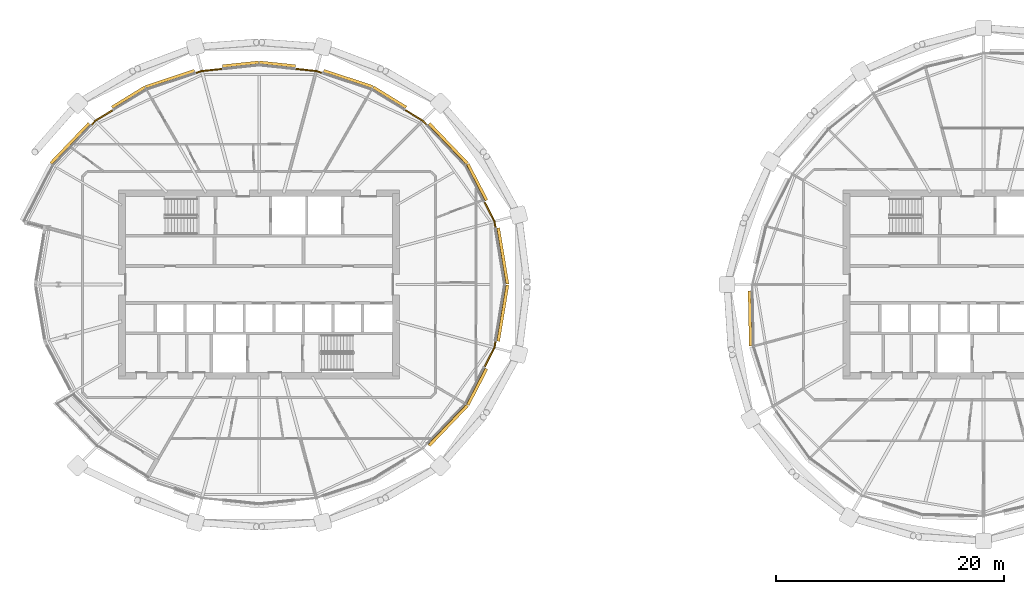
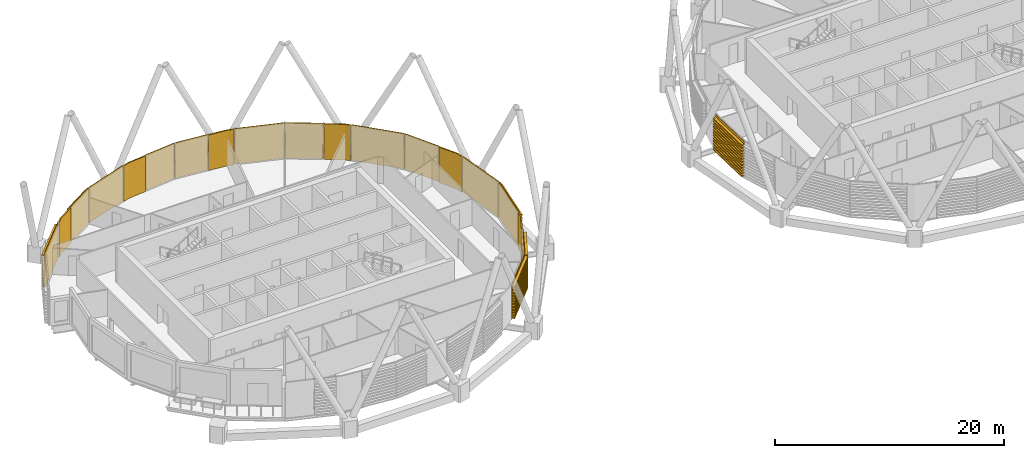
# One storey, part 32 of 36: 20 coverings.
"""IFC4 building model written with IfcOpenShell, lengths in metres."""

from ifc_helpers import new_model, si_unit, direction, frame, origin, place, context, subcontext, project, spatial, polyline, outline, extrude, material, layer, layer_set, material_profile, profile_set, type_object, element, save


model = new_model("IFC4")

# Units and contexts
model_context = context("Model", 3, precision=1e-05, world=origin(), true_north=direction((0.0, 1.0)))
body_context = subcontext(model_context, "Body", "Model", "MODEL_VIEW")
ifc_project = project(units=[si_unit("LENGTHUNIT", "METRE"), si_unit("AREAUNIT", "SQUARE_METRE"), si_unit("VOLUMEUNIT", "CUBIC_METRE"), si_unit("PLANEANGLEUNIT", "RADIAN"), si_unit("MASSUNIT", "GRAM", prefix="KILO")], contexts=[model_context])

# Site, building, storey
site_placement = place(None, origin())
site = spatial("IfcSite", under=ifc_project, at=site_placement, CompositionType="ELEMENT")
building_placement = place(site_placement, origin())
building = spatial("IfcBuilding", under=site, at=building_placement, Name="Rimbun Link Towers", CompositionType="ELEMENT")
storey_placement = place(building_placement, frame((0.0, 0.0, 193.10009765625)))
storey = spatial("IfcBuildingStorey", under=building, at=storey_placement, Name="L47", CompositionType="ELEMENT", Elevation=193.10009765625)

# Coverings
ifc_material_1 = material(Name="Terracotta", Category="masonry")
ifc_layer = layer(ifc_material_1, 0.1201171875)
ifc_layer_set = layer_set([ifc_layer], Name="LINK PIER terracotta cladding 120")
covering_type_1 = type_object("IfcCoveringType", Name="LINK PIER terracotta cladding 120", PredefinedType="CLADDING", material=ifc_layer_set)
covering_1_placement = place(storey_placement, origin())
element("IfcCovering", 1, at=covering_1_placement, inside=storey, type_object=covering_type_1, Name="LINK PIER cladding", PredefinedType="CLADDING", context=body_context, shape_type="SweptSolid", body=[
    extrude(outline(polyline([(-12.055419921875, 7.21875), (-11.173095703125, 5.513671875), (-11.08056640625, 4.951171875), (-10.962158203125, 4.970703125), (-11.057861328125, 5.5517578125), (-11.948974609375, 7.27392578125), (-12.055419921875, 7.21875)])), origin(), (0.0, 0.0, 1.0), 3.7998046875),
])
covering_2_placement = place(storey_placement, origin())
element("IfcCovering", 2, at=covering_2_placement, inside=storey, type_object=covering_type_1, Name="LINK PIER cladding", PredefinedType="CLADDING", context=body_context, shape_type="SweptSolid", body=[
    extrude(outline(polyline([(-18.99267578125, 15.2607421875), (-17.441650390625, 14.308349609375), (-17.081787109375, 13.93310546875), (-16.9951171875, 14.01611328125), (-17.36572265625, 14.402587890625), (-18.9296875, 15.363037109375), (-18.99267578125, 15.2607421875)])), origin(), (0.0, 0.0, 1.0), 3.7998046875),
])
covering_3_placement = place(storey_placement, origin())
element("IfcCovering", 3, at=covering_3_placement, inside=storey, type_object=covering_type_1, Name="LINK PIER cladding", PredefinedType="CLADDING", context=body_context, shape_type="SweptSolid", body=[
    extrude(outline(polyline([(-28.561279296875, 18.845947265625), (-26.751220703125, 18.6552734375), (-26.210205078125, 18.475830078125), (-26.172607421875, 18.58984375), (-26.725830078125, 18.773193359375), (-28.548828125, 18.965087890625), (-28.561279296875, 18.845947265625)])), origin(), (0.0, 0.0, 1.0), 3.7998046875),
])
covering_4_placement = place(storey_placement, origin())
element("IfcCovering", 4, at=covering_4_placement, inside=storey, type_object=covering_type_1, Name="LINK PIER cladding", PredefinedType="CLADDING", context=body_context, shape_type="SweptSolid", body=[
    extrude(outline(polyline([(-37.289794921875, 18.475830078125), (-36.748779296875, 18.6552734375), (-34.938720703125, 18.845947265625), (-34.951171875, 18.965087890625), (-36.774169921875, 18.773193359375), (-37.327392578125, 18.58984375), (-37.289794921875, 18.475830078125)])), origin(), (0.0, 0.0, 1.0), 3.7998046875),
])
covering_5_placement = place(storey_placement, origin())
element("IfcCovering", 5, at=covering_5_placement, inside=storey, type_object=covering_type_1, Name="LINK PIER cladding", PredefinedType="CLADDING", context=body_context, shape_type="SweptSolid", body=[
    extrude(outline(polyline([(-46.418212890625, 13.93310546875), (-46.058349609375, 14.308349609375), (-44.50732421875, 15.2607421875), (-44.5703125, 15.363037109375), (-46.13427734375, 14.402587890625), (-46.5048828125, 14.01611328125), (-46.418212890625, 13.93310546875)])), origin(), (0.0, 0.0, 1.0), 3.7998046875),
])
covering_6_placement = place(storey_placement, origin())
element("IfcCovering", 6, at=covering_6_placement, inside=storey, type_object=covering_type_1, Name="LINK PIER cladding", PredefinedType="CLADDING", context=body_context, shape_type="SweptSolid", body=[
    extrude(outline(polyline([(-11.08056640625, -4.951171875), (-11.173095703125, -5.513671875), (-12.055419921875, -7.21875), (-11.948974609375, -7.27392578125), (-11.057861328125, -5.5517578125), (-10.962158203125, -4.970703125), (-11.08056640625, -4.951171875)])), origin(), (0.0, 0.0, 1.0), 3.7998046875),
])
ifc_material_2 = material(Name="Terracotta", Category="masonry")
ifc_material_profile = material_profile(ifc_material_2, outline(polyline([(0.123046875, 0.0), (0.1630859375, 0.0), (0.1630859375, 0.10009765625), (0.423095703125, 0.10009765625), (0.423095703125, 0.219970703125), (0.1630859375, 0.219970703125), (0.1630859375, 0.39990234375), (0.423095703125, 0.39990234375), (0.423095703125, 0.52001953125), (0.1630859375, 0.52001953125), (0.1630859375, 0.699951171875), (0.423095703125, 0.699951171875), (0.423095703125, 0.820068359375), (0.1630859375, 0.820068359375), (0.1630859375, 1.0), (0.423095703125, 1.0), (0.423095703125, 1.1201171875), (0.1630859375, 1.1201171875), (0.1630859375, 1.300048828125), (0.423095703125, 1.300048828125), (0.423095703125, 1.419921875), (0.1630859375, 1.419921875), (0.1630859375, 1.60009765625), (0.423095703125, 1.60009765625), (0.423095703125, 1.719970703125), (0.1630859375, 1.719970703125), (0.1630859375, 1.89990234375), (0.423095703125, 1.89990234375), (0.423095703125, 2.02001953125), (0.1630859375, 2.02001953125), (0.1630859375, 2.199951171875), (0.423095703125, 2.199951171875), (0.423095703125, 2.320068359375), (0.1630859375, 2.320068359375), (0.1630859375, 2.5), (0.423095703125, 2.5), (0.423095703125, 2.6201171875), (0.1630859375, 2.6201171875), (0.1630859375, 2.800048828125), (0.423095703125, 2.800048828125), (0.423095703125, 2.919921875), (0.1630859375, 2.919921875), (0.1630859375, 3.10009765625), (0.423095703125, 3.10009765625), (0.423095703125, 3.219970703125), (0.1630859375, 3.219970703125), (0.1630859375, 3.39990234375), (0.423095703125, 3.39990234375), (0.423095703125, 3.52001953125), (0.1630859375, 3.52001953125), (0.1630859375, 3.800048828125), (0.123046875, 3.800048828125), (0.123046875, 0.0)])), Name="BAGUETTE 120X300")
ifc_profile_set = profile_set([ifc_material_profile], Name="Terracotta")
covering_type_2 = type_object("IfcCoveringType", Name="TERRACOTTA BAGUETTE 120X300 H3800", PredefinedType="CLADDING", material=ifc_profile_set)
covering_7_placement = place(storey_placement, frame((-11.07568359375, 4.921630859375, 0.0), z_axis=(0.162215740707, -0.986755315905, 0.0), x_axis=(0.986755315905, 0.162215740707, 0.0)))
element("IfcCovering", 7, at=covering_7_placement, inside=storey, type_object=covering_type_2, Name="TERRACOTTA BAGUETTE", PredefinedType="CLADDING", context=body_context, shape_type="SweptSolid", body=[
    extrude(outline(polyline([(0.123046875, 0.0), (0.1630859375, 0.0), (0.1630859375, 0.10009765625), (0.423095703125, 0.10009765625), (0.423095703125, 0.219970703125), (0.1630859375, 0.219970703125), (0.1630859375, 0.39990234375), (0.423095703125, 0.39990234375), (0.423095703125, 0.52001953125), (0.1630859375, 0.52001953125), (0.1630859375, 0.699951171875), (0.423095703125, 0.699951171875), (0.423095703125, 0.820068359375), (0.1630859375, 0.820068359375), (0.1630859375, 1.0), (0.423095703125, 1.0), (0.423095703125, 1.1201171875), (0.1630859375, 1.1201171875), (0.1630859375, 1.300048828125), (0.423095703125, 1.300048828125), (0.423095703125, 1.419921875), (0.1630859375, 1.419921875), (0.1630859375, 1.60009765625), (0.423095703125, 1.60009765625), (0.423095703125, 1.719970703125), (0.1630859375, 1.719970703125), (0.1630859375, 1.89990234375), (0.423095703125, 1.89990234375), (0.423095703125, 2.02001953125), (0.1630859375, 2.02001953125), (0.1630859375, 2.199951171875), (0.423095703125, 2.199951171875), (0.423095703125, 2.320068359375), (0.1630859375, 2.320068359375), (0.1630859375, 2.5), (0.423095703125, 2.5), (0.423095703125, 2.6201171875), (0.1630859375, 2.6201171875), (0.1630859375, 2.800048828125), (0.423095703125, 2.800048828125), (0.423095703125, 2.919921875), (0.1630859375, 2.919921875), (0.1630859375, 3.10009765625), (0.423095703125, 3.10009765625), (0.423095703125, 3.219970703125), (0.1630859375, 3.219970703125), (0.1630859375, 3.39990234375), (0.423095703125, 3.39990234375), (0.423095703125, 3.52001953125), (0.1630859375, 3.52001953125), (0.1630859375, 3.800048828125), (0.123046875, 3.800048828125), (0.123046875, 0.0)])), origin(), (0.0, 0.0, 1.0), 4.98779296875),
])
covering_8_placement = place(storey_placement, frame((-13.709716796875, 10.41552734375, 0.0), z_axis=(0.459564328239, -0.888144486111, 0.0), x_axis=(0.888144486111, 0.459564328239, 0.0)))
element("IfcCovering", 8, at=covering_8_placement, inside=storey, type_object=covering_type_2, Name="TERRACOTTA BAGUETTE", PredefinedType="CLADDING", context=body_context, shape_type="SweptSolid", body=[
    extrude(outline(polyline([(0.123046875, 0.0), (0.1630859375, 0.0), (0.1630859375, 0.10009765625), (0.423095703125, 0.10009765625), (0.423095703125, 0.219970703125), (0.1630859375, 0.219970703125), (0.1630859375, 0.39990234375), (0.423095703125, 0.39990234375), (0.423095703125, 0.52001953125), (0.1630859375, 0.52001953125), (0.1630859375, 0.699951171875), (0.423095703125, 0.699951171875), (0.423095703125, 0.820068359375), (0.1630859375, 0.820068359375), (0.1630859375, 1.0), (0.423095703125, 1.0), (0.423095703125, 1.1201171875), (0.1630859375, 1.1201171875), (0.1630859375, 1.300048828125), (0.423095703125, 1.300048828125), (0.423095703125, 1.419921875), (0.1630859375, 1.419921875), (0.1630859375, 1.60009765625), (0.423095703125, 1.60009765625), (0.423095703125, 1.719970703125), (0.1630859375, 1.719970703125), (0.1630859375, 1.89990234375), (0.423095703125, 1.89990234375), (0.423095703125, 2.02001953125), (0.1630859375, 2.02001953125), (0.1630859375, 2.199951171875), (0.423095703125, 2.199951171875), (0.423095703125, 2.320068359375), (0.1630859375, 2.320068359375), (0.1630859375, 2.5), (0.423095703125, 2.5), (0.423095703125, 2.6201171875), (0.1630859375, 2.6201171875), (0.1630859375, 2.800048828125), (0.423095703125, 2.800048828125), (0.423095703125, 2.919921875), (0.1630859375, 2.919921875), (0.1630859375, 3.10009765625), (0.423095703125, 3.10009765625), (0.423095703125, 3.219970703125), (0.1630859375, 3.219970703125), (0.1630859375, 3.39990234375), (0.423095703125, 3.39990234375), (0.423095703125, 3.52001953125), (0.1630859375, 3.52001953125), (0.1630859375, 3.800048828125), (0.123046875, 3.800048828125), (0.123046875, 0.0)])), origin(), (0.0, 0.0, 1.0), 3.5693359375),
])
covering_9_placement = place(storey_placement, frame((-17.06103515625, 13.911376953125, 0.0), z_axis=(0.692026893446, -0.721871719039, 0.0), x_axis=(0.721871719039, 0.692026893446, 0.0)))
element("IfcCovering", 9, at=covering_9_placement, inside=storey, type_object=covering_type_2, Name="TERRACOTTA BAGUETTE", PredefinedType="CLADDING", context=body_context, shape_type="SweptSolid", body=[
    extrude(outline(polyline([(0.123046875, 0.0), (0.1630859375, 0.0), (0.1630859375, 0.10009765625), (0.423095703125, 0.10009765625), (0.423095703125, 0.219970703125), (0.1630859375, 0.219970703125), (0.1630859375, 0.39990234375), (0.423095703125, 0.39990234375), (0.423095703125, 0.52001953125), (0.1630859375, 0.52001953125), (0.1630859375, 0.699951171875), (0.423095703125, 0.699951171875), (0.423095703125, 0.820068359375), (0.1630859375, 0.820068359375), (0.1630859375, 1.0), (0.423095703125, 1.0), (0.423095703125, 1.1201171875), (0.1630859375, 1.1201171875), (0.1630859375, 1.300048828125), (0.423095703125, 1.300048828125), (0.423095703125, 1.419921875), (0.1630859375, 1.419921875), (0.1630859375, 1.60009765625), (0.423095703125, 1.60009765625), (0.423095703125, 1.719970703125), (0.1630859375, 1.719970703125), (0.1630859375, 1.89990234375), (0.423095703125, 1.89990234375), (0.423095703125, 2.02001953125), (0.1630859375, 2.02001953125), (0.1630859375, 2.199951171875), (0.423095703125, 2.199951171875), (0.423095703125, 2.320068359375), (0.1630859375, 2.320068359375), (0.1630859375, 2.5), (0.423095703125, 2.5), (0.423095703125, 2.6201171875), (0.1630859375, 2.6201171875), (0.1630859375, 2.800048828125), (0.423095703125, 2.800048828125), (0.423095703125, 2.919921875), (0.1630859375, 2.919921875), (0.1630859375, 3.10009765625), (0.423095703125, 3.10009765625), (0.423095703125, 3.219970703125), (0.1630859375, 3.219970703125), (0.1630859375, 3.39990234375), (0.423095703125, 3.39990234375), (0.423095703125, 3.52001953125), (0.1630859375, 3.52001953125), (0.1630859375, 3.800048828125), (0.123046875, 3.800048828125), (0.123046875, 0.0)])), origin(), (0.0, 0.0, 1.0), 4.8427734375),
])
covering_10_placement = place(storey_placement, frame((-21.906494140625, 17.0498046875, 0.0), z_axis=(0.852192074263, -0.523229078476, 0.0), x_axis=(0.523229078476, 0.852192074263, 0.0)))
element("IfcCovering", 10, at=covering_10_placement, inside=storey, type_object=covering_type_2, Name="TERRACOTTA BAGUETTE", PredefinedType="CLADDING", context=body_context, shape_type="SweptSolid", body=[
    extrude(outline(polyline([(0.123046875, 0.0), (0.1630859375, 0.0), (0.1630859375, 0.10009765625), (0.423095703125, 0.10009765625), (0.423095703125, 0.219970703125), (0.1630859375, 0.219970703125), (0.1630859375, 0.39990234375), (0.423095703125, 0.39990234375), (0.423095703125, 0.52001953125), (0.1630859375, 0.52001953125), (0.1630859375, 0.699951171875), (0.423095703125, 0.699951171875), (0.423095703125, 0.820068359375), (0.1630859375, 0.820068359375), (0.1630859375, 1.0), (0.423095703125, 1.0), (0.423095703125, 1.1201171875), (0.1630859375, 1.1201171875), (0.1630859375, 1.300048828125), (0.423095703125, 1.300048828125), (0.423095703125, 1.419921875), (0.1630859375, 1.419921875), (0.1630859375, 1.60009765625), (0.423095703125, 1.60009765625), (0.423095703125, 1.719970703125), (0.1630859375, 1.719970703125), (0.1630859375, 1.89990234375), (0.423095703125, 1.89990234375), (0.423095703125, 2.02001953125), (0.1630859375, 2.02001953125), (0.1630859375, 2.199951171875), (0.423095703125, 2.199951171875), (0.423095703125, 2.320068359375), (0.1630859375, 2.320068359375), (0.1630859375, 2.5), (0.423095703125, 2.5), (0.423095703125, 2.6201171875), (0.1630859375, 2.6201171875), (0.1630859375, 2.800048828125), (0.423095703125, 2.800048828125), (0.423095703125, 2.919921875), (0.1630859375, 2.919921875), (0.1630859375, 3.10009765625), (0.423095703125, 3.10009765625), (0.423095703125, 3.219970703125), (0.1630859375, 3.219970703125), (0.1630859375, 3.39990234375), (0.423095703125, 3.39990234375), (0.423095703125, 3.52001953125), (0.1630859375, 3.52001953125), (0.1630859375, 3.800048828125), (0.123046875, 3.800048828125), (0.123046875, 0.0)])), origin(), (0.0, 0.0, 1.0), 3.389404296875),
])
covering_11_placement = place(storey_placement, frame((-26.181640625, 18.466552734375, 0.0), z_axis=(0.949234768601, -0.314568520484, 0.0), x_axis=(0.314568520484, 0.949234768601, 0.0)))
element("IfcCovering", 11, at=covering_11_placement, inside=storey, type_object=covering_type_2, Name="TERRACOTTA BAGUETTE", PredefinedType="CLADDING", context=body_context, shape_type="SweptSolid", body=[
    extrude(outline(polyline([(0.123046875, 0.0), (0.1630859375, 0.0), (0.1630859375, 0.10009765625), (0.423095703125, 0.10009765625), (0.423095703125, 0.219970703125), (0.1630859375, 0.219970703125), (0.1630859375, 0.39990234375), (0.423095703125, 0.39990234375), (0.423095703125, 0.52001953125), (0.1630859375, 0.52001953125), (0.1630859375, 0.699951171875), (0.423095703125, 0.699951171875), (0.423095703125, 0.820068359375), (0.1630859375, 0.820068359375), (0.1630859375, 1.0), (0.423095703125, 1.0), (0.423095703125, 1.1201171875), (0.1630859375, 1.1201171875), (0.1630859375, 1.300048828125), (0.423095703125, 1.300048828125), (0.423095703125, 1.419921875), (0.1630859375, 1.419921875), (0.1630859375, 1.60009765625), (0.423095703125, 1.60009765625), (0.423095703125, 1.719970703125), (0.1630859375, 1.719970703125), (0.1630859375, 1.89990234375), (0.423095703125, 1.89990234375), (0.423095703125, 2.02001953125), (0.1630859375, 2.02001953125), (0.1630859375, 2.199951171875), (0.423095703125, 2.199951171875), (0.423095703125, 2.320068359375), (0.1630859375, 2.320068359375), (0.1630859375, 2.5), (0.423095703125, 2.5), (0.423095703125, 2.6201171875), (0.1630859375, 2.6201171875), (0.1630859375, 2.800048828125), (0.423095703125, 2.800048828125), (0.423095703125, 2.919921875), (0.1630859375, 2.919921875), (0.1630859375, 3.10009765625), (0.423095703125, 3.10009765625), (0.423095703125, 3.219970703125), (0.1630859375, 3.219970703125), (0.1630859375, 3.39990234375), (0.423095703125, 3.39990234375), (0.423095703125, 3.52001953125), (0.1630859375, 3.52001953125), (0.1630859375, 3.800048828125), (0.123046875, 3.800048828125), (0.123046875, 0.0)])), origin(), (0.0, 0.0, 1.0), 4.503662109375),
])
for number, where, z_axis, x_axis, name in (
    (12, (-31.75, 19.181640625, 0.0), (0.994497448106, -0.104760802362, 0.0), (0.104760802362, 0.994497448106, 0.0), "TERRACOTTA BAGUETTE"),
    (13, (-34.908935546875, 18.848876953125, 0.0), (0.994497448106, 0.104760802362, 0.0), (-0.104760802362, 0.994497448106, 0.0), "TERRACOTTA BAGUETTE"),
):
    element("IfcCovering", number, at=place(storey_placement, frame(where, z_axis=z_axis, x_axis=x_axis)), inside=storey, type_object=covering_type_2, Name=name, PredefinedType="CLADDING", context=body_context, shape_type="SweptSolid", body=[
        extrude(outline(polyline([(0.123046875, 0.0), (0.1630859375, 0.0), (0.1630859375, 0.10009765625), (0.423095703125, 0.10009765625), (0.423095703125, 0.219970703125), (0.1630859375, 0.219970703125), (0.1630859375, 0.39990234375), (0.423095703125, 0.39990234375), (0.423095703125, 0.52001953125), (0.1630859375, 0.52001953125), (0.1630859375, 0.699951171875), (0.423095703125, 0.699951171875), (0.423095703125, 0.820068359375), (0.1630859375, 0.820068359375), (0.1630859375, 1.0), (0.423095703125, 1.0), (0.423095703125, 1.1201171875), (0.1630859375, 1.1201171875), (0.1630859375, 1.300048828125), (0.423095703125, 1.300048828125), (0.423095703125, 1.419921875), (0.1630859375, 1.419921875), (0.1630859375, 1.60009765625), (0.423095703125, 1.60009765625), (0.423095703125, 1.719970703125), (0.1630859375, 1.719970703125), (0.1630859375, 1.89990234375), (0.423095703125, 1.89990234375), (0.423095703125, 2.02001953125), (0.1630859375, 2.02001953125), (0.1630859375, 2.199951171875), (0.423095703125, 2.199951171875), (0.423095703125, 2.320068359375), (0.1630859375, 2.320068359375), (0.1630859375, 2.5), (0.423095703125, 2.5), (0.423095703125, 2.6201171875), (0.1630859375, 2.6201171875), (0.1630859375, 2.800048828125), (0.423095703125, 2.800048828125), (0.423095703125, 2.919921875), (0.1630859375, 2.919921875), (0.1630859375, 3.10009765625), (0.423095703125, 3.10009765625), (0.423095703125, 3.219970703125), (0.1630859375, 3.219970703125), (0.1630859375, 3.39990234375), (0.423095703125, 3.39990234375), (0.423095703125, 3.52001953125), (0.1630859375, 3.52001953125), (0.1630859375, 3.800048828125), (0.123046875, 3.800048828125), (0.123046875, 0.0)])), origin(), (0.0, 0.0, 1.0), 3.176513671875),
    ])
covering_12_placement = place(storey_placement, frame((-41.593505859375, 17.0498046875, 0.0), z_axis=(0.949234768601, 0.314568520484, 0.0), x_axis=(-0.314568520484, 0.949234768601, 0.0)))
element("IfcCovering", 14, at=covering_12_placement, inside=storey, type_object=covering_type_2, Name="TERRACOTTA BAGUETTE", PredefinedType="CLADDING", context=body_context, shape_type="SweptSolid", body=[
    extrude(outline(polyline([(0.123046875, 0.0), (0.1630859375, 0.0), (0.1630859375, 0.10009765625), (0.423095703125, 0.10009765625), (0.423095703125, 0.219970703125), (0.1630859375, 0.219970703125), (0.1630859375, 0.39990234375), (0.423095703125, 0.39990234375), (0.423095703125, 0.52001953125), (0.1630859375, 0.52001953125), (0.1630859375, 0.699951171875), (0.423095703125, 0.699951171875), (0.423095703125, 0.820068359375), (0.1630859375, 0.820068359375), (0.1630859375, 1.0), (0.423095703125, 1.0), (0.423095703125, 1.1201171875), (0.1630859375, 1.1201171875), (0.1630859375, 1.300048828125), (0.423095703125, 1.300048828125), (0.423095703125, 1.419921875), (0.1630859375, 1.419921875), (0.1630859375, 1.60009765625), (0.423095703125, 1.60009765625), (0.423095703125, 1.719970703125), (0.1630859375, 1.719970703125), (0.1630859375, 1.89990234375), (0.423095703125, 1.89990234375), (0.423095703125, 2.02001953125), (0.1630859375, 2.02001953125), (0.1630859375, 2.199951171875), (0.423095703125, 2.199951171875), (0.423095703125, 2.320068359375), (0.1630859375, 2.320068359375), (0.1630859375, 2.5), (0.423095703125, 2.5), (0.423095703125, 2.6201171875), (0.1630859375, 2.6201171875), (0.1630859375, 2.800048828125), (0.423095703125, 2.800048828125), (0.423095703125, 2.919921875), (0.1630859375, 2.919921875), (0.1630859375, 3.10009765625), (0.423095703125, 3.10009765625), (0.423095703125, 3.219970703125), (0.1630859375, 3.219970703125), (0.1630859375, 3.39990234375), (0.423095703125, 3.39990234375), (0.423095703125, 3.52001953125), (0.1630859375, 3.52001953125), (0.1630859375, 3.800048828125), (0.123046875, 3.800048828125), (0.123046875, 0.0)])), origin(), (0.0, 0.0, 1.0), 4.503662109375),
])
covering_13_placement = place(storey_placement, frame((-44.48193359375, 15.2763671875, 0.0), z_axis=(0.852192074263, 0.523229078476, 0.0), x_axis=(-0.523229078476, 0.852192074263, 0.0)))
element("IfcCovering", 15, at=covering_13_placement, inside=storey, type_object=covering_type_2, Name="TERRACOTTA BAGUETTE", PredefinedType="CLADDING", context=body_context, shape_type="SweptSolid", body=[
    extrude(outline(polyline([(0.123046875, 0.0), (0.1630859375, 0.0), (0.1630859375, 0.10009765625), (0.423095703125, 0.10009765625), (0.423095703125, 0.219970703125), (0.1630859375, 0.219970703125), (0.1630859375, 0.39990234375), (0.423095703125, 0.39990234375), (0.423095703125, 0.52001953125), (0.1630859375, 0.52001953125), (0.1630859375, 0.699951171875), (0.423095703125, 0.699951171875), (0.423095703125, 0.820068359375), (0.1630859375, 0.820068359375), (0.1630859375, 1.0), (0.423095703125, 1.0), (0.423095703125, 1.1201171875), (0.1630859375, 1.1201171875), (0.1630859375, 1.300048828125), (0.423095703125, 1.300048828125), (0.423095703125, 1.419921875), (0.1630859375, 1.419921875), (0.1630859375, 1.60009765625), (0.423095703125, 1.60009765625), (0.423095703125, 1.719970703125), (0.1630859375, 1.719970703125), (0.1630859375, 1.89990234375), (0.423095703125, 1.89990234375), (0.423095703125, 2.02001953125), (0.1630859375, 2.02001953125), (0.1630859375, 2.199951171875), (0.423095703125, 2.199951171875), (0.423095703125, 2.320068359375), (0.1630859375, 2.320068359375), (0.1630859375, 2.5), (0.423095703125, 2.5), (0.423095703125, 2.6201171875), (0.1630859375, 2.6201171875), (0.1630859375, 2.800048828125), (0.423095703125, 2.800048828125), (0.423095703125, 2.919921875), (0.1630859375, 2.919921875), (0.1630859375, 3.10009765625), (0.423095703125, 3.10009765625), (0.423095703125, 3.219970703125), (0.1630859375, 3.219970703125), (0.1630859375, 3.39990234375), (0.423095703125, 3.39990234375), (0.423095703125, 3.52001953125), (0.1630859375, 3.52001953125), (0.1630859375, 3.800048828125), (0.123046875, 3.800048828125), (0.123046875, 0.0)])), origin(), (0.0, 0.0, 1.0), 3.389404296875),
])
for number, where, z_axis, x_axis, name in (
    (16, (-49.790283203125, 10.41552734375, 0.0), (0.692026893446, 0.721871719039, 0.0), (-0.721871719039, 0.692026893446, 0.0), "TERRACOTTA BAGUETTE"),
    (17, (-13.709716796875, -10.41552734375, 0.0), (-0.692026893446, -0.721871719039, 0.0), (0.721871719039, -0.692026893446, 0.0), "TERRACOTTA BAGUETTE"),
):
    element("IfcCovering", number, at=place(storey_placement, frame(where, z_axis=z_axis, x_axis=x_axis)), inside=storey, type_object=covering_type_2, Name=name, PredefinedType="CLADDING", context=body_context, shape_type="SweptSolid", body=[
        extrude(outline(polyline([(0.123046875, 0.0), (0.1630859375, 0.0), (0.1630859375, 0.10009765625), (0.423095703125, 0.10009765625), (0.423095703125, 0.219970703125), (0.1630859375, 0.219970703125), (0.1630859375, 0.39990234375), (0.423095703125, 0.39990234375), (0.423095703125, 0.52001953125), (0.1630859375, 0.52001953125), (0.1630859375, 0.699951171875), (0.423095703125, 0.699951171875), (0.423095703125, 0.820068359375), (0.1630859375, 0.820068359375), (0.1630859375, 1.0), (0.423095703125, 1.0), (0.423095703125, 1.1201171875), (0.1630859375, 1.1201171875), (0.1630859375, 1.300048828125), (0.423095703125, 1.300048828125), (0.423095703125, 1.419921875), (0.1630859375, 1.419921875), (0.1630859375, 1.60009765625), (0.423095703125, 1.60009765625), (0.423095703125, 1.719970703125), (0.1630859375, 1.719970703125), (0.1630859375, 1.89990234375), (0.423095703125, 1.89990234375), (0.423095703125, 2.02001953125), (0.1630859375, 2.02001953125), (0.1630859375, 2.199951171875), (0.423095703125, 2.199951171875), (0.423095703125, 2.320068359375), (0.1630859375, 2.320068359375), (0.1630859375, 2.5), (0.423095703125, 2.5), (0.423095703125, 2.6201171875), (0.1630859375, 2.6201171875), (0.1630859375, 2.800048828125), (0.423095703125, 2.800048828125), (0.423095703125, 2.919921875), (0.1630859375, 2.919921875), (0.1630859375, 3.10009765625), (0.423095703125, 3.10009765625), (0.423095703125, 3.219970703125), (0.1630859375, 3.219970703125), (0.1630859375, 3.39990234375), (0.423095703125, 3.39990234375), (0.423095703125, 3.52001953125), (0.1630859375, 3.52001953125), (0.1630859375, 3.800048828125), (0.123046875, 3.800048828125), (0.123046875, 0.0)])), origin(), (0.0, 0.0, 1.0), 4.8427734375),
    ])
covering_14_placement = place(storey_placement, frame((-12.0693359375, -7.245361328125, 0.0), z_axis=(-0.459564328239, -0.888144486111, 0.0), x_axis=(0.888144486111, -0.459564328239, 0.0)))
element("IfcCovering", 18, at=covering_14_placement, inside=storey, type_object=covering_type_2, Name="TERRACOTTA BAGUETTE", PredefinedType="CLADDING", context=body_context, shape_type="SweptSolid", body=[
    extrude(outline(polyline([(0.123046875, 0.0), (0.1630859375, 0.0), (0.1630859375, 0.10009765625), (0.423095703125, 0.10009765625), (0.423095703125, 0.219970703125), (0.1630859375, 0.219970703125), (0.1630859375, 0.39990234375), (0.423095703125, 0.39990234375), (0.423095703125, 0.52001953125), (0.1630859375, 0.52001953125), (0.1630859375, 0.699951171875), (0.423095703125, 0.699951171875), (0.423095703125, 0.820068359375), (0.1630859375, 0.820068359375), (0.1630859375, 1.0), (0.423095703125, 1.0), (0.423095703125, 1.1201171875), (0.1630859375, 1.1201171875), (0.1630859375, 1.300048828125), (0.423095703125, 1.300048828125), (0.423095703125, 1.419921875), (0.1630859375, 1.419921875), (0.1630859375, 1.60009765625), (0.423095703125, 1.60009765625), (0.423095703125, 1.719970703125), (0.1630859375, 1.719970703125), (0.1630859375, 1.89990234375), (0.423095703125, 1.89990234375), (0.423095703125, 2.02001953125), (0.1630859375, 2.02001953125), (0.1630859375, 2.199951171875), (0.423095703125, 2.199951171875), (0.423095703125, 2.320068359375), (0.1630859375, 2.320068359375), (0.1630859375, 2.5), (0.423095703125, 2.5), (0.423095703125, 2.6201171875), (0.1630859375, 2.6201171875), (0.1630859375, 2.800048828125), (0.423095703125, 2.800048828125), (0.423095703125, 2.919921875), (0.1630859375, 2.919921875), (0.1630859375, 3.10009765625), (0.423095703125, 3.10009765625), (0.423095703125, 3.219970703125), (0.1630859375, 3.219970703125), (0.1630859375, 3.39990234375), (0.423095703125, 3.39990234375), (0.423095703125, 3.52001953125), (0.1630859375, 3.52001953125), (0.1630859375, 3.800048828125), (0.123046875, 3.800048828125), (0.123046875, 0.0)])), origin(), (0.0, 0.0, 1.0), 3.5693359375),
])
covering_15_placement = place(storey_placement, frame((-10.2666015625, 0.0, 0.0), z_axis=(-0.162215740707, -0.986755315905, 0.0), x_axis=(0.986755315905, -0.162215740707, 0.0)))
element("IfcCovering", 19, at=covering_15_placement, inside=storey, type_object=covering_type_2, Name="TERRACOTTA BAGUETTE", PredefinedType="CLADDING", context=body_context, shape_type="SweptSolid", body=[
    extrude(outline(polyline([(0.123046875, 0.0), (0.1630859375, 0.0), (0.1630859375, 0.10009765625), (0.423095703125, 0.10009765625), (0.423095703125, 0.219970703125), (0.1630859375, 0.219970703125), (0.1630859375, 0.39990234375), (0.423095703125, 0.39990234375), (0.423095703125, 0.52001953125), (0.1630859375, 0.52001953125), (0.1630859375, 0.699951171875), (0.423095703125, 0.699951171875), (0.423095703125, 0.820068359375), (0.1630859375, 0.820068359375), (0.1630859375, 1.0), (0.423095703125, 1.0), (0.423095703125, 1.1201171875), (0.1630859375, 1.1201171875), (0.1630859375, 1.300048828125), (0.423095703125, 1.300048828125), (0.423095703125, 1.419921875), (0.1630859375, 1.419921875), (0.1630859375, 1.60009765625), (0.423095703125, 1.60009765625), (0.423095703125, 1.719970703125), (0.1630859375, 1.719970703125), (0.1630859375, 1.89990234375), (0.423095703125, 1.89990234375), (0.423095703125, 2.02001953125), (0.1630859375, 2.02001953125), (0.1630859375, 2.199951171875), (0.423095703125, 2.199951171875), (0.423095703125, 2.320068359375), (0.1630859375, 2.320068359375), (0.1630859375, 2.5), (0.423095703125, 2.5), (0.423095703125, 2.6201171875), (0.1630859375, 2.6201171875), (0.1630859375, 2.800048828125), (0.423095703125, 2.800048828125), (0.423095703125, 2.919921875), (0.1630859375, 2.919921875), (0.1630859375, 3.10009765625), (0.423095703125, 3.10009765625), (0.423095703125, 3.219970703125), (0.1630859375, 3.219970703125), (0.1630859375, 3.39990234375), (0.423095703125, 3.39990234375), (0.423095703125, 3.52001953125), (0.1630859375, 3.52001953125), (0.1630859375, 3.800048828125), (0.123046875, 3.800048828125), (0.123046875, 0.0)])), origin(), (0.0, 0.0, 1.0), 4.98779296875),
])
covering_16_placement = place(storey_placement, frame((11.62841796875, -5.3916015625, 0.0), z_axis=(-0.021072367102, 0.99977795302, 0.0), x_axis=(-0.99977795302, -0.021072367102, 0.0)))
element("IfcCovering", 20, at=covering_16_placement, inside=storey, type_object=covering_type_2, Name="TERRACOTTA BAGUETTE", PredefinedType="CLADDING", context=body_context, shape_type="SweptSolid", body=[
    extrude(outline(polyline([(0.123046875, 0.0), (0.1630859375, 0.0), (0.1630859375, 0.10009765625), (0.423095703125, 0.10009765625), (0.423095703125, 0.219970703125), (0.1630859375, 0.219970703125), (0.1630859375, 0.39990234375), (0.423095703125, 0.39990234375), (0.423095703125, 0.52001953125), (0.1630859375, 0.52001953125), (0.1630859375, 0.699951171875), (0.423095703125, 0.699951171875), (0.423095703125, 0.820068359375), (0.1630859375, 0.820068359375), (0.1630859375, 1.0), (0.423095703125, 1.0), (0.423095703125, 1.1201171875), (0.1630859375, 1.1201171875), (0.1630859375, 1.300048828125), (0.423095703125, 1.300048828125), (0.423095703125, 1.419921875), (0.1630859375, 1.419921875), (0.1630859375, 1.60009765625), (0.423095703125, 1.60009765625), (0.423095703125, 1.719970703125), (0.1630859375, 1.719970703125), (0.1630859375, 1.89990234375), (0.423095703125, 1.89990234375), (0.423095703125, 2.02001953125), (0.1630859375, 2.02001953125), (0.1630859375, 2.199951171875), (0.423095703125, 2.199951171875), (0.423095703125, 2.320068359375), (0.1630859375, 2.320068359375), (0.1630859375, 2.5), (0.423095703125, 2.5), (0.423095703125, 2.6201171875), (0.1630859375, 2.6201171875), (0.1630859375, 2.800048828125), (0.423095703125, 2.800048828125), (0.423095703125, 2.919921875), (0.1630859375, 2.919921875), (0.1630859375, 3.10009765625), (0.423095703125, 3.10009765625), (0.423095703125, 3.219970703125), (0.1630859375, 3.219970703125), (0.1630859375, 3.39990234375), (0.423095703125, 3.39990234375), (0.423095703125, 3.52001953125), (0.1630859375, 3.52001953125), (0.1630859375, 3.800048828125), (0.123046875, 3.800048828125), (0.123046875, 0.0)])), origin(), (0.0, 0.0, 1.0), 4.8427734375),
])

save(model, "model.ifc")
